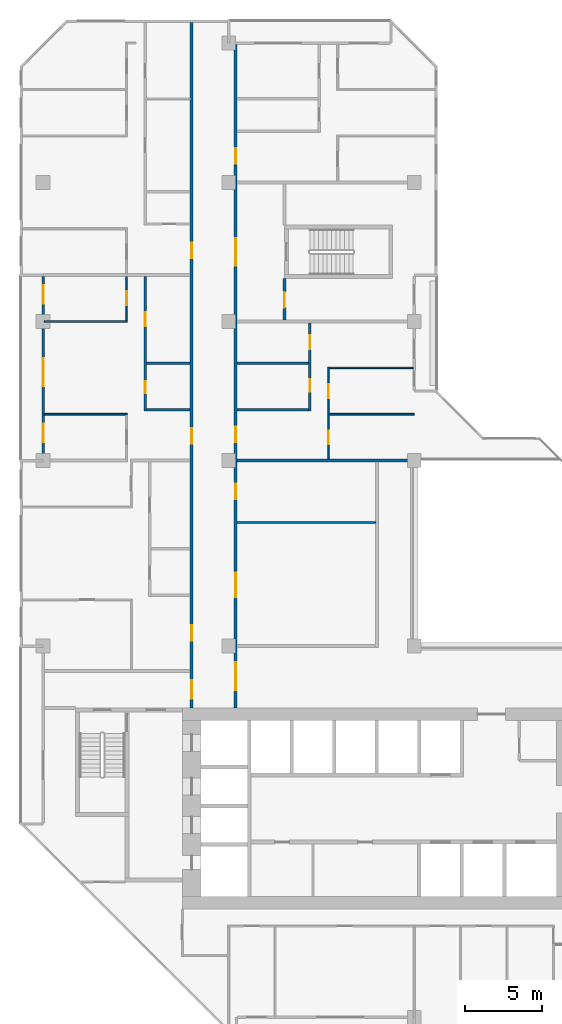
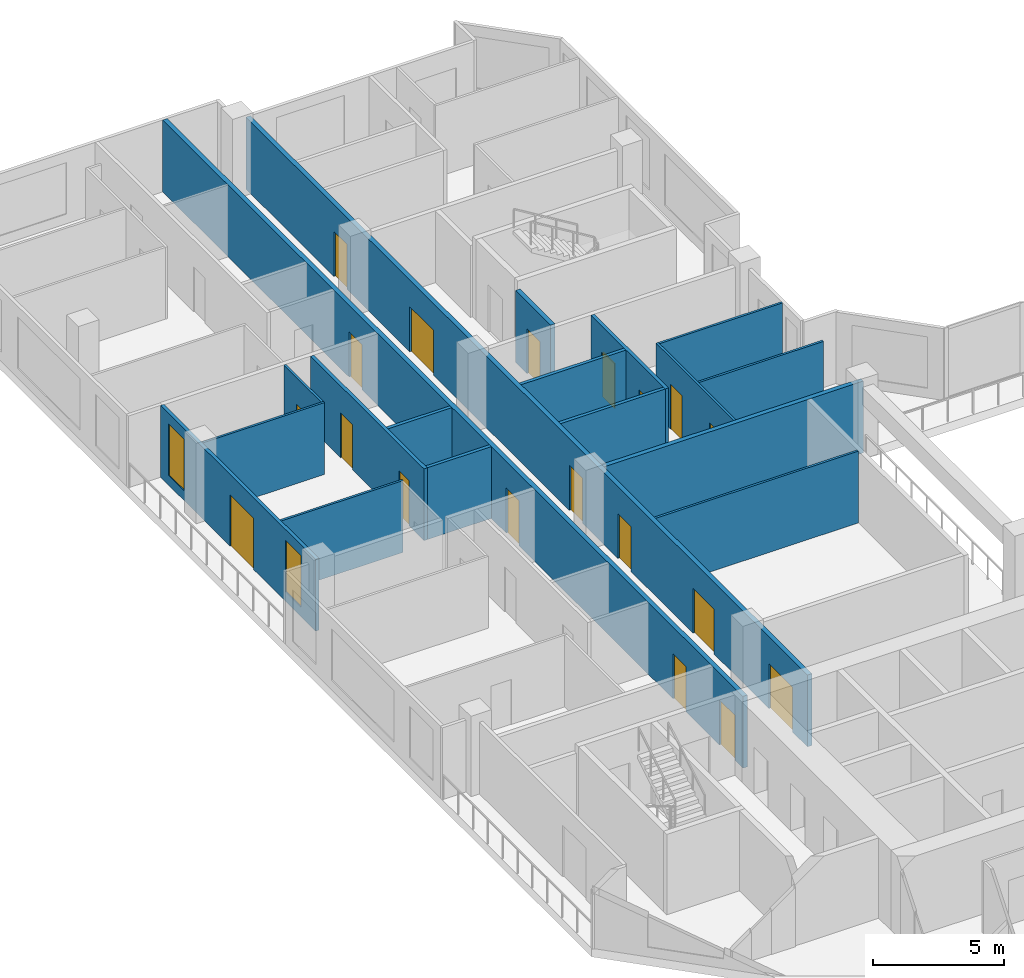
# One storey, part 9 of 15: 19 doors, 18 walls, 2 windows, 21 openings.
"""IFC4 building model written with IfcOpenShell, lengths in metres."""

import ifcopenshell
import ifcopenshell.guid

model = None  # the IFC model being written
_history = None  # IfcOwnerHistory: only IFC2X3 demands one
_inside = {}  # id of a spatial element -> (the spatial element, [elements in it])
_under = {}  # id of a project, library or spatial element -> (it, [spatial elements below it])
_declared = {}  # id of a project -> (the project, [libraries it declares])
_typed = {}  # id of a type object -> (the type object, [elements of that type])
_made_of = {}  # id of a material, layer set ... -> (it, [elements and type objects made of it])


def new_model(schema):
    """Start an empty IFC model of exactly this schema.

    Asked for "IFC4X3", IfcOpenShell would pick the latest addendum, in which some entities
    have other attributes; the version numbers below select the first issue.
    IFC2X3 requires an IfcOwnerHistory on every rooted entity: one is made here for all.
    """
    global model, _history
    if schema == "IFC4X3":
        model = ifcopenshell.file(schema_version=(4, 3, 0, 0))
    else:
        model = ifcopenshell.file(schema=schema)
    _inside.clear()
    _under.clear()
    _declared.clear()
    _typed.clear()
    _made_of.clear()
    _history = None
    if model.schema == "IFC2X3":
        org = make("IfcOrganization", Name="unknown")
        user = make(
            "IfcPersonAndOrganization",
            ThePerson=make("IfcPerson", FamilyName="unknown"),
            TheOrganization=org,
        )
        app = make(
            "IfcApplication",
            ApplicationDeveloper=org,
            Version="unknown",
            ApplicationFullName="unknown",
            ApplicationIdentifier="unknown",
        )
        _history = make(
            "IfcOwnerHistory",
            OwningUser=user,
            OwningApplication=app,
            ChangeAction="ADDED",
            CreationDate=0,
        )
    return model


def make(cls, **values):
    """One entity of the class cls with the attributes given. An attribute that is None is left unset."""
    return model.create_entity(
        cls, **{name: value for name, value in values.items() if value is not None}
    )


def rooted(cls, **values):
    """An entity with a GlobalId (a new one), such as an element, a storey or a relation."""
    return make(cls, GlobalId=ifcopenshell.guid.new(), OwnerHistory=_history, **values)


def si_unit(unit_type, name, prefix=None):
    """IfcSIUnit, for example si_unit("LENGTHUNIT", "METRE", prefix="MILLI")."""
    return make("IfcSIUnit", UnitType=unit_type, Prefix=prefix, Name=name)


def assignment(units):
    """IfcUnitAssignment: the units of a project."""
    return None if units is None else make("IfcUnitAssignment", Units=units)


def point(xyz):
    """IfcCartesianPoint."""
    return None if xyz is None else make("IfcCartesianPoint", Coordinates=xyz)


def direction(xyz):
    """IfcDirection."""
    return None if xyz is None else make("IfcDirection", DirectionRatios=xyz)


def frame(location, z_axis=None, x_axis=None):
    """IfcAxis2Placement3D, a coordinate frame: its origin and axes. An axis left out is left unset."""
    return make(
        "IfcAxis2Placement3D",
        Location=point(location),
        Axis=direction(z_axis),
        RefDirection=direction(x_axis),
    )


def frame_2d(location, x_axis=None):
    """IfcAxis2Placement2D, a coordinate frame in the plane: its origin and x axis."""
    return make(
        "IfcAxis2Placement2D", Location=point(location), RefDirection=direction(x_axis)
    )


def origin():
    """The frame at (0, 0, 0) with its axes left unset."""
    return frame((0.0, 0.0, 0.0))


def place(relative_to, where):
    """IfcLocalPlacement: puts the frame where relative to a parent placement (None: the world)."""
    return make(
        "IfcLocalPlacement", PlacementRelTo=relative_to, RelativePlacement=where
    )


def context(
    kind, dimensions, precision=None, world=None, true_north=None, identifier=None
):
    """IfcGeometricRepresentationContext, for example the 3D "Model" context."""
    return make(
        "IfcGeometricRepresentationContext",
        ContextIdentifier=identifier,
        ContextType=kind,
        CoordinateSpaceDimension=dimensions,
        Precision=precision,
        WorldCoordinateSystem=world,
        TrueNorth=true_north,
    )


def subcontext(parent, identifier, kind, view, scale=None):
    """IfcGeometricRepresentationSubContext, for example "Body" below "Model"."""
    return make(
        "IfcGeometricRepresentationSubContext",
        ContextIdentifier=identifier,
        ContextType=kind,
        ParentContext=parent,
        TargetScale=scale,
        TargetView=view,
    )


def project(units=None, contexts=None):
    """IfcProject with its units and contexts."""
    return rooted(
        "IfcProject",
        Name="project",
        RepresentationContexts=contexts,
        UnitsInContext=assignment(units),
    )


def spatial(cls, under=None, at=None, **own):
    """A site, building, storey or space (cls), placed at a placement, below another one or the project."""
    s = rooted(cls, ObjectPlacement=at, **own)
    if under is not None:
        _under.setdefault(under.id(), (under, []))[1].append(s)
    return s


def profile(cls, at=None, kind="AREA", **sizes):
    """A parametric profile (cls). Its sizes go by their IFC names, for example OverallWidth=200.0."""
    return make(cls, ProfileType=kind, Position=at, **sizes)


def rectangle(**sizes):
    """IfcRectangleProfileDef."""
    return profile("IfcRectangleProfileDef", **sizes)


def extrude(swept, where, along, depth):
    """IfcExtrudedAreaSolid: the profile swept, set in the frame where, extruded along a direction by depth."""
    return make(
        "IfcExtrudedAreaSolid",
        SweptArea=swept,
        Position=where,
        ExtrudedDirection=direction(along),
        Depth=depth,
    )


def shape(context_of_items, identifier, shape_type, items):
    """IfcShapeRepresentation: the items that make up one representation, for example the "Body"."""
    return make(
        "IfcShapeRepresentation",
        ContextOfItems=context_of_items,
        RepresentationIdentifier=identifier,
        RepresentationType=shape_type,
        Items=items,
    )


def material(Name=None, Category=None):
    """IfcMaterial."""
    return make("IfcMaterial", Name=Name, Category=Category)


def layer(
    of_material, thickness, ventilated=None, Name=None, Category=None, Priority=None
):
    """IfcMaterialLayer: one layer of a wall or slab, of a material (None: an air gap)."""
    return make(
        "IfcMaterialLayer",
        Material=of_material,
        LayerThickness=thickness,
        IsVentilated=ventilated,
        Name=Name,
        Category=Category,
        Priority=Priority,
    )


def layer_set(layers, Name=None):
    """IfcMaterialLayerSet."""
    return make("IfcMaterialLayerSet", MaterialLayers=layers, LayerSetName=Name)


def made_of(thing, what):
    """Note that an element or type object is made of a material, layer set ...; save() writes the relation."""
    if what is not None:
        _made_of.setdefault(what.id(), (what, []))[1].append(thing)
    return thing


def type_object(cls, material=None, **own):
    """A type object (cls), such as IfcWallType, which elements share."""
    return made_of(rooted(cls, **own), material)


def element(
    cls,
    number,
    at=None,
    inside=None,
    cuts=None,
    type_object=None,
    material=None,
    context=None,
    identifier="Body",
    shape_type=None,
    held_by="IfcProductDefinitionShape",
    body=None,
    shapes=None,
    **own,
):
    """One element of the class cls, such as IfcWall. Its Tag is "e" and its number.

    at: its placement. inside: the storey or other place that contains it. cuts: it is an
    opening in that element (IfcRelVoidsElement). A single representation is given by context,
    identifier, shape_type and body (its items); several are given by shapes. held_by: the class
    of the entity that holds the representations. save() writes the other relations.
    """
    e = rooted(cls, Tag="e%d" % number, ObjectPlacement=at, **own)
    if body is not None:
        shapes = [shape(context, identifier, shape_type, body)]
    if shapes is not None:
        e.Representation = make(held_by, Representations=shapes)
    if inside is not None:
        _inside.setdefault(inside.id(), (inside, []))[1].append(e)
    if cuts is not None:
        rooted(
            "IfcRelVoidsElement", RelatingBuildingElement=cuts, RelatedOpeningElement=e
        )
    if type_object is not None:
        _typed.setdefault(type_object.id(), (type_object, []))[1].append(e)
    return made_of(e, material)


def fill(opening, filler):
    """IfcRelFillsElement: the door or window that sits in an opening."""
    return rooted(
        "IfcRelFillsElement",
        RelatingOpeningElement=opening,
        RelatedBuildingElement=filler,
    )


def aggregate(whole, parts):
    """IfcRelAggregates: a whole, such as a stair, and the parts it consists of."""
    return rooted("IfcRelAggregates", RelatingObject=whole, RelatedObjects=parts)


def save(model, path):
    """Write the relations noted so far, then the file.

    IfcRelAggregates (storeys below a building ...), IfcRelContainedInSpatialStructure (elements
    in a storey), IfcRelDefinesByType, IfcRelAssociatesMaterial and IfcRelDeclares: one each for
    every whole, place, type object, material and project.
    """
    for whole, parts in _under.values():
        aggregate(whole, parts)
    for where, things in _inside.values():
        rooted(
            "IfcRelContainedInSpatialStructure",
            RelatedElements=things,
            RelatingStructure=where,
        )
    for kind, things in _typed.values():
        rooted("IfcRelDefinesByType", RelatedObjects=things, RelatingType=kind)
    for what, things in _made_of.values():
        rooted("IfcRelAssociatesMaterial", RelatedObjects=things, RelatingMaterial=what)
    for by, libraries in _declared.values():
        rooted("IfcRelDeclares", RelatingContext=by, RelatedDefinitions=libraries)
    model.write(path)


model = new_model("IFC4")

# Units and contexts
model_context = context("Model", 3, precision=1e-05, world=origin(), true_north=direction((0.0, 1.0)))
body_context = subcontext(model_context, "Body", "Model", "MODEL_VIEW")
ifc_project = project(units=[si_unit("LENGTHUNIT", "METRE"), si_unit("AREAUNIT", "SQUARE_METRE"), si_unit("VOLUMEUNIT", "CUBIC_METRE"), si_unit("PLANEANGLEUNIT", "RADIAN"), si_unit("MASSUNIT", "GRAM", prefix="KILO")], contexts=[model_context])

# Site, building, storey
site_placement = place(None, origin())
site = spatial("IfcSite", under=ifc_project, at=site_placement, CompositionType="ELEMENT")
building_placement = place(site_placement, origin())
building = spatial("IfcBuilding", under=site, at=building_placement, Name="Chenar Terraces", CompositionType="ELEMENT")
storey_placement = place(building_placement, frame((0.0, 0.0, 198.64990234375)))
storey = spatial("IfcBuildingStorey", under=building, at=storey_placement, Name="L46", CompositionType="ELEMENT", Elevation=198.64990234375)

# Wall, openings, doors
ifc_material_1 = material(Name="Gypsum board on steel studs with fire boards", Category="steel")
ifc_layer_1 = layer(ifc_material_1, 0.199951171875)
ifc_layer_set_1 = layer_set([ifc_layer_1], Name="Gypsum board on steel studs with fire boards")
wall_type_1 = type_object("IfcWallType", Name="Corridor wall 200", PredefinedType="PARTITIONING", material=ifc_layer_set_1)
wall_1_placement = place(storey_placement, frame((9.60009765625, 20.0, 0.0), z_axis=(0.0, 0.0, 1.0), x_axis=(0.0, 1.0, 0.0)))
wall_1 = element("IfcWall", 1, at=wall_1_placement, inside=storey, type_object=wall_type_1, Name="Partition L46-033", PredefinedType="PARTITIONING", context=body_context, shape_type="SweptSolid", body=[
    extrude(rectangle(XDim=44.35009765625, YDim=0.199951171875, at=frame_2d((22.175048828125, 0.0))), origin(), (0.0, 0.0, 1.0), 3.35009765625),
])
opening_1_placement = place(wall_1_placement, frame((17.10009765625, 0.0, 0.0)))
opening_1 = element("IfcOpeningElement", 2, at=opening_1_placement, cuts=wall_1, Name="Opening DL46-29", PredefinedType="OPENING", context=body_context, shape_type="SweptSolid", body=[
    extrude(rectangle(XDim=1.0, YDim=2.10009765625, at=frame_2d((0.5, 1.050048828125))), frame((0.0, 0.10986328125, 0.0), z_axis=(0.0, -1.0, 0.0), x_axis=(1.0, 0.0, 0.0)), (0.0, 0.0, 1.0), 0.219970703125),
])
opening_2_placement = place(wall_1_placement, frame((29.10009765625, 0.0, 0.0)))
opening_2 = element("IfcOpeningElement", 3, at=opening_2_placement, cuts=wall_1, Name="Opening DL46-35", PredefinedType="OPENING", context=body_context, shape_type="SweptSolid", body=[
    extrude(rectangle(XDim=1.0, YDim=2.10009765625, at=frame_2d((0.5, 1.050048828125))), frame((0.0, 0.10986328125, 0.0), z_axis=(0.0, -1.0, 0.0), x_axis=(1.0, 0.0, 0.0)), (0.0, 0.0, 1.0), 0.219970703125),
])
opening_3_placement = place(wall_1_placement, frame((0.60009765625, 0.0, 0.0)))
opening_3 = element("IfcOpeningElement", 4, at=opening_3_placement, cuts=wall_1, Name="Opening DL46-39", PredefinedType="OPENING", context=body_context, shape_type="SweptSolid", body=[
    extrude(rectangle(XDim=1.199951171875, YDim=2.10009765625, at=frame_2d((0.60009765625, 1.050048828125))), frame((0.0, 0.10986328125, 0.0), z_axis=(0.0, -1.0, 0.0), x_axis=(1.0, 0.0, 0.0)), (0.0, 0.0, 1.0), 0.219970703125),
])
opening_4_placement = place(wall_1_placement, frame((4.35009765625, 0.0, 0.0)))
opening_4 = element("IfcOpeningElement", 5, at=opening_4_placement, cuts=wall_1, Name="Opening DL46-60", PredefinedType="OPENING", context=body_context, shape_type="SweptSolid", body=[
    extrude(rectangle(XDim=1.0, YDim=2.10009765625, at=frame_2d((0.5, 1.050048828125))), frame((0.0, 0.10986328125, 0.0), z_axis=(0.0, -1.0, 0.0), x_axis=(1.0, 0.0, 0.0)), (0.0, 0.0, 1.0), 0.219970703125),
])
ifc_material_2 = material(Name="Steel-framed fire-resisting door leaf", Category="steel")
door_type_1 = type_object("IfcDoorType", Name="Fire door FD30S 1000 x 2100", OperationType="SINGLE_SWING_LEFT", PredefinedType="DOOR", material=ifc_material_2)
door_1_placement = place(opening_1_placement, origin())
door_1 = element("IfcDoor", 6, at=door_1_placement, inside=storey, type_object=door_type_1, Name="Door DL46-29", OperationType="SINGLE_SWING_LEFT", OverallHeight=2.10009765625, OverallWidth=1.0, PredefinedType="DOOR", context=body_context, shape_type="SweptSolid", body=[
    extrude(rectangle(XDim=1.0, YDim=2.10009765625, at=frame_2d((0.5, 1.050048828125))), frame((0.0, 0.02490234375, 0.0), z_axis=(0.0, -1.0, 0.0), x_axis=(1.0, 0.0, 0.0)), (0.0, 0.0, 1.0), 0.050048828125),
])
fill(opening_1, door_1)
door_2_placement = place(opening_2_placement, origin())
door_2 = element("IfcDoor", 7, at=door_2_placement, inside=storey, type_object=door_type_1, Name="Door DL46-35", OperationType="SINGLE_SWING_LEFT", OverallHeight=2.10009765625, OverallWidth=1.0, PredefinedType="DOOR", context=body_context, shape_type="SweptSolid", body=[
    extrude(rectangle(XDim=1.0, YDim=2.10009765625, at=frame_2d((0.5, 1.050048828125))), frame((0.0, 0.02490234375, 0.0), z_axis=(0.0, -1.0, 0.0), x_axis=(1.0, 0.0, 0.0)), (0.0, 0.0, 1.0), 0.050048828125),
])
fill(opening_2, door_2)
door_3_placement = place(opening_4_placement, origin())
door_3 = element("IfcDoor", 8, at=door_3_placement, inside=storey, type_object=door_type_1, Name="Door DL46-60", OperationType="SINGLE_SWING_RIGHT", OverallHeight=2.10009765625, OverallWidth=1.0, PredefinedType="DOOR", context=body_context, shape_type="SweptSolid", body=[
    extrude(rectangle(XDim=1.0, YDim=2.10009765625, at=frame_2d((0.5, 1.050048828125))), frame((0.0, 0.02490234375, 0.0), z_axis=(0.0, -1.0, 0.0), x_axis=(1.0, 0.0, 0.0)), (0.0, 0.0, 1.0), 0.050048828125),
])
fill(opening_4, door_3)
ifc_material_3 = material(Name="Steel-framed fire-resisting door leaf", Category="steel")
door_type_2 = type_object("IfcDoorType", Name="Fire door FD30S 1200 x 2100", OperationType="SINGLE_SWING_LEFT", PredefinedType="DOOR", material=ifc_material_3)
door_4_placement = place(opening_3_placement, origin())
door_4 = element("IfcDoor", 9, at=door_4_placement, inside=storey, type_object=door_type_2, Name="Door DL46-39", OperationType="SINGLE_SWING_RIGHT", OverallHeight=2.10009765625, OverallWidth=1.199951171875, PredefinedType="DOOR", context=body_context, shape_type="SweptSolid", body=[
    extrude(rectangle(XDim=1.199951171875, YDim=2.10009765625, at=frame_2d((0.60009765625, 1.050048828125))), frame((0.0, 0.02490234375, 0.0), z_axis=(0.0, -1.0, 0.0), x_axis=(1.0, 0.0, 0.0)), (0.0, 0.0, 1.0), 0.050048828125),
])
fill(opening_3, door_4)

wall_2_placement = place(storey_placement, frame((12.449951171875, 20.0, 0.0), z_axis=(0.0, 0.0, 1.0), x_axis=(0.0, 1.0, 0.0)))
wall_2 = element("IfcWall", 10, at=wall_2_placement, inside=storey, type_object=wall_type_1, Name="Partition L46-036", PredefinedType="PARTITIONING", context=body_context, shape_type="SweptSolid", body=[
    extrude(rectangle(XDim=42.926025390625, YDim=0.199951171875, at=frame_2d((21.462890625, 0.0))), origin(), (0.0, 0.0, 1.0), 3.35009765625),
])
opening_5_placement = place(wall_2_placement, frame((7.14990234375, 0.0, 0.0)))
opening_5 = element("IfcOpeningElement", 11, at=opening_5_placement, cuts=wall_2, Name="Opening DL46-1", PredefinedType="OPENING", context=body_context, shape_type="SweptSolid", body=[
    extrude(rectangle(XDim=1.60009765625, YDim=2.10009765625, at=frame_2d((0.800048828125, 1.050048828125))), frame((0.0, 0.10986328125, 0.0), z_axis=(0.0, -1.0, 0.0), x_axis=(1.0, 0.0, 0.0)), (0.0, 0.0, 1.0), 0.219970703125),
])
opening_6_placement = place(wall_2_placement, frame((13.5, 0.0, 0.0)))
opening_6 = element("IfcOpeningElement", 12, at=opening_6_placement, cuts=wall_2, Name="Opening DL46-2", PredefinedType="OPENING", context=body_context, shape_type="SweptSolid", body=[
    extrude(rectangle(XDim=1.0, YDim=2.10009765625, at=frame_2d((0.5, 1.050048828125))), frame((0.0, 0.10986328125, 0.0), z_axis=(0.0, -1.0, 0.0), x_axis=(1.0, 0.0, 0.0)), (0.0, 0.0, 1.0), 0.219970703125),
])
opening_7_placement = place(wall_2_placement, frame((17.199951171875, 0.0, 0.0)))
opening_7 = element("IfcOpeningElement", 13, at=opening_7_placement, cuts=wall_2, Name="Opening DL46-19", PredefinedType="OPENING", context=body_context, shape_type="SweptSolid", body=[
    extrude(rectangle(XDim=1.0, YDim=2.10009765625, at=frame_2d((0.5, 1.050048828125))), frame((0.0, 0.10986328125, 0.0), z_axis=(0.0, -1.0, 0.0), x_axis=(1.0, 0.0, 0.0)), (0.0, 0.0, 1.0), 0.219970703125),
])
opening_8_placement = place(wall_2_placement, frame((35.199951171875, 0.0, 0.0)))
opening_8 = element("IfcOpeningElement", 14, at=opening_8_placement, cuts=wall_2, Name="Opening DL46-24", PredefinedType="OPENING", context=body_context, shape_type="SweptSolid", body=[
    extrude(rectangle(XDim=1.0, YDim=2.10009765625, at=frame_2d((0.5, 1.050048828125))), frame((0.0, 0.10986328125, 0.0), z_axis=(0.0, -1.0, 0.0), x_axis=(1.0, 0.0, 0.0)), (0.0, 0.0, 1.0), 0.219970703125),
])
opening_9_placement = place(wall_2_placement, frame((1.14990234375, 0.0, 0.0)))
opening_9 = element("IfcOpeningElement", 15, at=opening_9_placement, cuts=wall_2, Name="Opening DL46-38", PredefinedType="OPENING", context=body_context, shape_type="SweptSolid", body=[
    extrude(rectangle(XDim=1.800048828125, YDim=2.10009765625, at=frame_2d((0.89990234375, 1.050048828125))), frame((0.0, 0.10986328125, 0.0), z_axis=(0.0, -1.0, 0.0), x_axis=(1.0, 0.0, 0.0)), (0.0, 0.0, 1.0), 0.219970703125),
])
opening_10_placement = place(wall_2_placement, frame((28.60009765625, 0.0, 0.0)))
opening_10 = element("IfcOpeningElement", 16, at=opening_10_placement, cuts=wall_2, Name="Opening DL46-40", PredefinedType="OPENING", context=body_context, shape_type="SweptSolid", body=[
    extrude(rectangle(XDim=1.800048828125, YDim=2.10009765625, at=frame_2d((0.89990234375, 1.050048828125))), frame((0.0, 0.10986328125, 0.0), z_axis=(0.0, -1.0, 0.0), x_axis=(1.0, 0.0, 0.0)), (0.0, 0.0, 1.0), 0.219970703125),
])
ifc_material_4 = material(Name="Steel-framed fire-resisting door leaf", Category="steel")
door_type_3 = type_object("IfcDoorType", Name="Fire door FD60 1000 x 2100", OperationType="SINGLE_SWING_LEFT", PredefinedType="DOOR", material=ifc_material_4)
door_5_placement = place(opening_6_placement, frame((1.0, 0.0, 0.0), z_axis=(0.0, 0.0, 1.0), x_axis=(-1.0, 0.0, 0.0)))
door_5 = element("IfcDoor", 17, at=door_5_placement, inside=storey, type_object=door_type_3, Name="Door DL46-2", OperationType="SINGLE_SWING_LEFT", OverallHeight=2.10009765625, OverallWidth=1.0, PredefinedType="DOOR", context=body_context, shape_type="SweptSolid", body=[
    extrude(rectangle(XDim=1.0, YDim=2.10009765625, at=frame_2d((0.5, 1.050048828125))), frame((0.0, 0.02490234375, 0.0), z_axis=(0.0, -1.0, 0.0), x_axis=(1.0, 0.0, 0.0)), (0.0, 0.0, 1.0), 0.050048828125),
])
fill(opening_6, door_5)
door_6_placement = place(opening_7_placement, frame((1.0, 0.0, 0.0), z_axis=(0.0, 0.0, 1.0), x_axis=(-1.0, 0.0, 0.0)))
door_6 = element("IfcDoor", 18, at=door_6_placement, inside=storey, type_object=door_type_3, Name="Door DL46-19", OperationType="SINGLE_SWING_LEFT", OverallHeight=2.10009765625, OverallWidth=1.0, PredefinedType="DOOR", context=body_context, shape_type="SweptSolid", body=[
    extrude(rectangle(XDim=1.0, YDim=2.10009765625, at=frame_2d((0.5, 1.050048828125))), frame((0.0, 0.02490234375, 0.0), z_axis=(0.0, -1.0, 0.0), x_axis=(1.0, 0.0, 0.0)), (0.0, 0.0, 1.0), 0.050048828125),
])
fill(opening_7, door_6)
door_7_placement = place(opening_8_placement, frame((1.0, 0.0, 0.0), z_axis=(0.0, 0.0, 1.0), x_axis=(-1.0, 0.0, 0.0)))
door_7 = element("IfcDoor", 19, at=door_7_placement, inside=storey, type_object=door_type_3, Name="Door DL46-24", OperationType="SINGLE_SWING_LEFT", OverallHeight=2.10009765625, OverallWidth=1.0, PredefinedType="DOOR", context=body_context, shape_type="SweptSolid", body=[
    extrude(rectangle(XDim=1.0, YDim=2.10009765625, at=frame_2d((0.5, 1.050048828125))), frame((0.0, 0.02490234375, 0.0), z_axis=(0.0, -1.0, 0.0), x_axis=(1.0, 0.0, 0.0)), (0.0, 0.0, 1.0), 0.050048828125),
])
fill(opening_8, door_7)
ifc_material_5 = material(Name="Steel-framed fire-resisting door leaf", Category="steel")
door_type_4 = type_object("IfcDoorType", Name="Fire double door FD60 1600 x 2100", OperationType="DOUBLE_DOOR_SINGLE_SWING", PredefinedType="DOOR", material=ifc_material_5)
door_8_placement = place(opening_5_placement, frame((1.60009765625, 0.0, 0.0), z_axis=(0.0, 0.0, 1.0), x_axis=(-1.0, 0.0, 0.0)))
door_8 = element("IfcDoor", 20, at=door_8_placement, inside=storey, type_object=door_type_4, Name="Door DL46-1", OperationType="DOUBLE_DOOR_SINGLE_SWING", OverallHeight=2.10009765625, OverallWidth=1.60009765625, PredefinedType="DOOR", context=body_context, shape_type="SweptSolid", body=[
    extrude(rectangle(XDim=1.60009765625, YDim=2.10009765625, at=frame_2d((0.800048828125, 1.050048828125))), frame((0.0, 0.02490234375, 0.0), z_axis=(0.0, -1.0, 0.0), x_axis=(1.0, 0.0, 0.0)), (0.0, 0.0, 1.0), 0.050048828125),
])
fill(opening_5, door_8)
ifc_material_6 = material(Name="Steel-framed fire-resisting door leaf", Category="steel")
door_type_5 = type_object("IfcDoorType", Name="Fire double door FD60 1800 x 2100", OperationType="DOUBLE_DOOR_SINGLE_SWING", PredefinedType="DOOR", material=ifc_material_6)
door_9_placement = place(opening_9_placement, frame((1.800048828125, 0.0, 0.0), z_axis=(0.0, 0.0, 1.0), x_axis=(-1.0, 0.0, 0.0)))
door_9 = element("IfcDoor", 21, at=door_9_placement, inside=storey, type_object=door_type_5, Name="Door DL46-38", OperationType="DOUBLE_DOOR_SINGLE_SWING", OverallHeight=2.10009765625, OverallWidth=1.800048828125, PredefinedType="DOOR", context=body_context, shape_type="SweptSolid", body=[
    extrude(rectangle(XDim=1.800048828125, YDim=2.10009765625, at=frame_2d((0.89990234375, 1.050048828125))), frame((0.0, 0.02490234375, 0.0), z_axis=(0.0, -1.0, 0.0), x_axis=(1.0, 0.0, 0.0)), (0.0, 0.0, 1.0), 0.050048828125),
])
fill(opening_9, door_9)
door_10_placement = place(opening_10_placement, frame((1.800048828125, 0.0, 0.0), z_axis=(0.0, 0.0, 1.0), x_axis=(-1.0, 0.0, 0.0)))
door_10 = element("IfcDoor", 22, at=door_10_placement, inside=storey, type_object=door_type_5, Name="Door DL46-40", OperationType="DOUBLE_DOOR_SINGLE_SWING", OverallHeight=2.10009765625, OverallWidth=1.800048828125, PredefinedType="DOOR", context=body_context, shape_type="SweptSolid", body=[
    extrude(rectangle(XDim=1.800048828125, YDim=2.10009765625, at=frame_2d((0.89990234375, 1.050048828125))), frame((0.0, 0.02490234375, 0.0), z_axis=(0.0, -1.0, 0.0), x_axis=(1.0, 0.0, 0.0)), (0.0, 0.0, 1.0), 0.050048828125),
])
fill(opening_10, door_10)

# Wall, opening, door
wall_3_placement = place(storey_placement, frame((15.60009765625, 45.10009765625, 0.0), z_axis=(0.0, 0.0, 1.0), x_axis=(0.0, 1.0, 0.0)))
wall_3 = element("IfcWall", 23, at=wall_3_placement, inside=storey, type_object=wall_type_1, Name="Partition L46-047", PredefinedType="PARTITIONING", context=body_context, shape_type="SweptSolid", body=[
    extrude(rectangle(XDim=2.6748046875, YDim=0.199951171875, at=frame_2d((1.33740234375, 0.0))), origin(), (0.0, 0.0, 1.0), 3.35009765625),
])
opening_11_placement = place(wall_3_placement, frame((0.800048828125, 0.0, 0.0)))
opening_11 = element("IfcOpeningElement", 24, at=opening_11_placement, cuts=wall_3, Name="Opening DL46-42", PredefinedType="OPENING", context=body_context, shape_type="SweptSolid", body=[
    extrude(rectangle(XDim=1.0, YDim=2.10009765625, at=frame_2d((0.5, 1.050048828125))), frame((0.0, 0.10986328125, 0.0), z_axis=(0.0, -1.0, 0.0), x_axis=(1.0, 0.0, 0.0)), (0.0, 0.0, 1.0), 0.219970703125),
])
door_11_placement = place(opening_11_placement, frame((1.0, 0.0, 0.0), z_axis=(0.0, 0.0, 1.0), x_axis=(-1.0, 0.0, 0.0)))
door_11 = element("IfcDoor", 25, at=door_11_placement, inside=storey, type_object=door_type_3, Name="Door DL46-42", OperationType="SINGLE_SWING_RIGHT", OverallHeight=2.10009765625, OverallWidth=1.0, PredefinedType="DOOR", context=body_context, shape_type="SweptSolid", body=[
    extrude(rectangle(XDim=1.0, YDim=2.10009765625, at=frame_2d((0.5, 1.050048828125))), frame((0.0, 0.02490234375, 0.0), z_axis=(0.0, -1.0, 0.0), x_axis=(1.0, 0.0, 0.0)), (0.0, 0.0, 1.0), 0.050048828125),
])
fill(opening_11, door_11)

# Wall, openings, windows, door
ifc_material_7 = material(Name="Aluminium framed glazing", Category="aluminium")
ifc_layer_2 = layer(ifc_material_7, 0.14990234375)
ifc_layer_set_2 = layer_set([ifc_layer_2], Name="Aluminium framed glazing")
wall_type_2 = type_object("IfcWallType", Name="Glazed loggia back wall 150", PredefinedType="SOLIDWALL", material=ifc_layer_set_2)
wall_4_placement = place(storey_placement, frame((0.0, 47.925048828125, 0.0), z_axis=(0.0, 0.0, 1.0), x_axis=(0.0, -1.0, 0.0)))
wall_4 = element("IfcWall", 26, at=wall_4_placement, inside=storey, type_object=wall_type_2, Name="Glazed loggia back wall", PredefinedType="SOLIDWALL", context=body_context, shape_type="SweptSolid", body=[
    extrude(rectangle(XDim=11.85009765625, YDim=0.14990234375, at=frame_2d((5.925048828125, 0.0))), origin(), (0.0, 0.0, 1.0), 3.35009765625),
])
opening_12_placement = place(wall_4_placement, frame((0.58740234375, 0.0, 0.449951171875)))
opening_12 = element("IfcOpeningElement", 27, at=opening_12_placement, cuts=wall_4, Name="Opening W120x240", PredefinedType="OPENING", context=body_context, shape_type="SweptSolid", body=[
    extrude(rectangle(XDim=1.199951171875, YDim=2.39990234375, at=frame_2d((0.60009765625, 1.199951171875))), frame((0.0, 0.0849609375, 0.0), z_axis=(0.0, -1.0, 0.0), x_axis=(1.0, 0.0, 0.0)), (0.0, 0.0, 1.0), 0.169921875),
])
opening_13_placement = place(wall_4_placement, frame((5.300048828125, 0.0, 0.0)))
opening_13 = element("IfcOpeningElement", 28, at=opening_13_placement, cuts=wall_4, Name="Opening DL46-G3", PredefinedType="OPENING", context=body_context, shape_type="SweptSolid", body=[
    extrude(rectangle(XDim=1.800048828125, YDim=2.39990234375, at=frame_2d((0.89990234375, 1.199951171875))), frame((0.0, 0.0849609375, 0.0), z_axis=(0.0, -1.0, 0.0), x_axis=(1.0, 0.0, 0.0)), (0.0, 0.0, 1.0), 0.169921875),
])
opening_14_placement = place(wall_4_placement, frame((9.550048828125, 0.0, 0.449951171875)))
opening_14 = element("IfcOpeningElement", 29, at=opening_14_placement, cuts=wall_4, Name="Opening W120x240", PredefinedType="OPENING", context=body_context, shape_type="SweptSolid", body=[
    extrude(rectangle(XDim=1.199951171875, YDim=2.39990234375, at=frame_2d((0.60009765625, 1.199951171875))), frame((0.0, 0.0849609375, 0.0), z_axis=(0.0, -1.0, 0.0), x_axis=(1.0, 0.0, 0.0)), (0.0, 0.0, 1.0), 0.169921875),
])
ifc_material_8 = material(Name="Low emissivity double glazing, aluminium frame", Category="aluminium")
window_type = type_object("IfcWindowType", Name="Fixed light 1200 x 2400", PartitioningType="SINGLE_PANEL", PredefinedType="WINDOW", material=ifc_material_8)
window_1_placement = place(opening_12_placement, origin())
window_1 = element("IfcWindow", 30, at=window_1_placement, inside=storey, type_object=window_type, Name="Window", OverallHeight=2.39990234375, OverallWidth=1.199951171875, PartitioningType="SINGLE_PANEL", PredefinedType="WINDOW", context=body_context, shape_type="SweptSolid", body=[
    extrude(rectangle(XDim=1.199951171875, YDim=2.39990234375, at=frame_2d((0.60009765625, 1.199951171875))), frame((0.0, 0.030029296875, 0.0), z_axis=(0.0, -1.0, 0.0), x_axis=(1.0, 0.0, 0.0)), (0.0, 0.0, 1.0), 0.06005859375),
])
fill(opening_12, window_1)
window_2_placement = place(opening_14_placement, origin())
window_2 = element("IfcWindow", 31, at=window_2_placement, inside=storey, type_object=window_type, Name="Window", OverallHeight=2.39990234375, OverallWidth=1.199951171875, PartitioningType="SINGLE_PANEL", PredefinedType="WINDOW", context=body_context, shape_type="SweptSolid", body=[
    extrude(rectangle(XDim=1.199951171875, YDim=2.39990234375, at=frame_2d((0.60009765625, 1.199951171875))), frame((0.0, 0.030029296875, 0.0), z_axis=(0.0, -1.0, 0.0), x_axis=(1.0, 0.0, 0.0)), (0.0, 0.0, 1.0), 0.06005859375),
])
fill(opening_14, window_2)
ifc_material_9 = material(Name="Low emissivity double glazing, aluminium frame", Category="aluminium")
door_type_6 = type_object("IfcDoorType", Name="Loggia glazed double door 1800 x 2400", OperationType="DOUBLE_DOOR_SINGLE_SWING", PredefinedType="DOOR", material=ifc_material_9)
door_12_placement = place(opening_13_placement, frame((1.800048828125, 0.0, 0.0), z_axis=(0.0, 0.0, 1.0), x_axis=(-1.0, 0.0, 0.0)))
door_12 = element("IfcDoor", 32, at=door_12_placement, inside=storey, type_object=door_type_6, Name="Loggia glazed door", OperationType="DOUBLE_DOOR_SINGLE_SWING", OverallHeight=2.39990234375, OverallWidth=1.800048828125, PredefinedType="DOOR", context=body_context, shape_type="SweptSolid", body=[
    extrude(rectangle(XDim=1.800048828125, YDim=2.39990234375, at=frame_2d((0.89990234375, 1.199951171875))), frame((0.0, 0.02490234375, 0.0), z_axis=(0.0, -1.0, 0.0), x_axis=(1.0, 0.0, 0.0)), (0.0, 0.0, 1.0), 0.050048828125),
])
fill(opening_13, door_12)

# Walls
ifc_material_10 = material(Name="Gypsum board on steel studs", Category="steel")
ifc_layer_3 = layer(ifc_material_10, 0.10009765625)
ifc_layer_set_3 = layer_set([ifc_layer_3], Name="Gypsum board on steel studs")
wall_type_3 = type_object("IfcWallType", Name="Gypsum partition 100", PredefinedType="PARTITIONING", material=ifc_layer_set_3)
for number, where, z_axis, x_axis, name in (
    (33, (0.073974609375, 39.0, 0.0), (0.0, 0.0, 1.0), (1.0, 0.0, 0.0), "Partition L46-010"),
    (34, (0.073974609375, 45.0, 0.0), (0.0, 0.0, 1.0), (1.0, 0.0, 0.0), "Partition L46-011"),
):
    element("IfcWall", number, at=place(storey_placement, frame(where, z_axis=z_axis, x_axis=x_axis)), inside=storey, type_object=wall_type_3, Name=name, PredefinedType="PARTITIONING", context=body_context, shape_type="SweptSolid", body=[
        extrude(rectangle(XDim=5.3759765625, YDim=0.10009765625, at=frame_2d((2.68798828125, 0.0))), origin(), (0.0, 0.0, 1.0), 3.35009765625),
    ])

# Wall, opening, door
wall_5_placement = place(storey_placement, frame((5.39990234375, 45.050048828125, 0.0), z_axis=(0.0, 0.0, 1.0), x_axis=(0.0, 1.0, 0.0)))
wall_5 = element("IfcWall", 35, at=wall_5_placement, inside=storey, type_object=wall_type_3, Name="Partition L46-014", PredefinedType="PARTITIONING", context=body_context, shape_type="SweptSolid", body=[
    extrude(rectangle(XDim=2.849853515625, YDim=0.10009765625, at=frame_2d((1.4248046875, 0.0))), origin(), (0.0, 0.0, 1.0), 3.35009765625),
])
opening_15_placement = place(wall_5_placement, frame((1.0, 0.0, 0.0)))
opening_15 = element("IfcOpeningElement", 36, at=opening_15_placement, cuts=wall_5, Name="Opening DL46-27", PredefinedType="OPENING", context=body_context, shape_type="SweptSolid", body=[
    extrude(rectangle(XDim=0.89990234375, YDim=2.10009765625, at=frame_2d((0.449951171875, 1.050048828125))), frame((0.0, 0.06005859375, 0.0), z_axis=(0.0, -1.0, 0.0), x_axis=(1.0, 0.0, 0.0)), (0.0, 0.0, 1.0), 0.1201171875),
])
ifc_material_11 = material(Name="Veneered timber door leaf", Category="wood")
door_type_7 = type_object("IfcDoorType", Name="Door 900 x 2100", OperationType="SINGLE_SWING_LEFT", PredefinedType="DOOR", material=ifc_material_11)
door_13_placement = place(opening_15_placement, origin())
door_13 = element("IfcDoor", 37, at=door_13_placement, inside=storey, type_object=door_type_7, Name="Door DL46-27", OperationType="SINGLE_SWING_RIGHT", OverallHeight=2.10009765625, OverallWidth=0.89990234375, PredefinedType="DOOR", context=body_context, shape_type="SweptSolid", body=[
    extrude(rectangle(XDim=0.89990234375, YDim=2.10009765625, at=frame_2d((0.449951171875, 1.050048828125))), frame((0.0, 0.02490234375, 0.0), z_axis=(0.0, -1.0, 0.0), x_axis=(1.0, 0.0, 0.0)), (0.0, 0.0, 1.0), 0.050048828125),
])
fill(opening_15, door_13)

# Wall
wall_6_placement = place(storey_placement, frame((12.550048828125, 32.0, 0.0), z_axis=(0.0, 0.0, 1.0), x_axis=(1.0, 0.0, 0.0)))
element("IfcWall", 38, at=wall_6_placement, inside=storey, type_object=wall_type_3, Name="Partition L46-038", PredefinedType="PARTITIONING", context=body_context, shape_type="SweptSolid", body=[
    extrude(rectangle(XDim=8.949951171875, YDim=0.10009765625, at=frame_2d((4.47509765625, 0.0))), origin(), (0.0, 0.0, 1.0), 3.35009765625),
])

# Wall, openings, doors
wall_7_placement = place(storey_placement, frame((18.449951171875, 36.10009765625, 0.0), z_axis=(0.0, 0.0, 1.0), x_axis=(0.0, 1.0, 0.0)))
wall_7 = element("IfcWall", 39, at=wall_7_placement, inside=storey, type_object=wall_type_3, Name="Partition L46-051", PredefinedType="PARTITIONING", context=body_context, shape_type="SweptSolid", body=[
    extrude(rectangle(XDim=5.949951171875, YDim=0.10009765625, at=frame_2d((2.97509765625, 0.0))), origin(), (0.0, 0.0, 1.0), 3.35009765625),
])
opening_16_placement = place(wall_7_placement, frame((0.949951171875, 0.0, 0.0)))
opening_16 = element("IfcOpeningElement", 40, at=opening_16_placement, cuts=wall_7, Name="Opening DL46-16", PredefinedType="OPENING", context=body_context, shape_type="SweptSolid", body=[
    extrude(rectangle(XDim=0.89990234375, YDim=2.10009765625, at=frame_2d((0.449951171875, 1.050048828125))), frame((0.0, 0.06005859375, 0.0), z_axis=(0.0, -1.0, 0.0), x_axis=(1.0, 0.0, 0.0)), (0.0, 0.0, 1.0), 0.1201171875),
])
opening_17_placement = place(wall_7_placement, frame((3.949951171875, 0.0, 0.0)))
opening_17 = element("IfcOpeningElement", 41, at=opening_17_placement, cuts=wall_7, Name="Opening DL46-17", PredefinedType="OPENING", context=body_context, shape_type="SweptSolid", body=[
    extrude(rectangle(XDim=0.89990234375, YDim=2.10009765625, at=frame_2d((0.449951171875, 1.050048828125))), frame((0.0, 0.06005859375, 0.0), z_axis=(0.0, -1.0, 0.0), x_axis=(1.0, 0.0, 0.0)), (0.0, 0.0, 1.0), 0.1201171875),
])
door_14_placement = place(opening_16_placement, frame((0.89990234375, 0.0, 0.0), z_axis=(0.0, 0.0, 1.0), x_axis=(-1.0, 0.0, 0.0)))
door_14 = element("IfcDoor", 42, at=door_14_placement, inside=storey, type_object=door_type_7, Name="Door DL46-16", OperationType="SINGLE_SWING_LEFT", OverallHeight=2.10009765625, OverallWidth=0.89990234375, PredefinedType="DOOR", context=body_context, shape_type="SweptSolid", body=[
    extrude(rectangle(XDim=0.89990234375, YDim=2.10009765625, at=frame_2d((0.449951171875, 1.050048828125))), frame((0.0, 0.02490234375, 0.0), z_axis=(0.0, -1.0, 0.0), x_axis=(1.0, 0.0, 0.0)), (0.0, 0.0, 1.0), 0.050048828125),
])
fill(opening_16, door_14)
door_15_placement = place(opening_17_placement, frame((0.89990234375, 0.0, 0.0), z_axis=(0.0, 0.0, 1.0), x_axis=(-1.0, 0.0, 0.0)))
door_15 = element("IfcDoor", 43, at=door_15_placement, inside=storey, type_object=door_type_7, Name="Door DL46-17", OperationType="SINGLE_SWING_LEFT", OverallHeight=2.10009765625, OverallWidth=0.89990234375, PredefinedType="DOOR", context=body_context, shape_type="SweptSolid", body=[
    extrude(rectangle(XDim=0.89990234375, YDim=2.10009765625, at=frame_2d((0.449951171875, 1.050048828125))), frame((0.0, 0.02490234375, 0.0), z_axis=(0.0, -1.0, 0.0), x_axis=(1.0, 0.0, 0.0)), (0.0, 0.0, 1.0), 0.050048828125),
])
fill(opening_17, door_15)

# Walls
wall_8_placement = place(storey_placement, frame((18.5, 39.0, 0.0), z_axis=(0.0, 0.0, 1.0), x_axis=(1.0, 0.0, 0.0)))
element("IfcWall", 44, at=wall_8_placement, inside=storey, type_object=wall_type_3, Name="Partition L46-052", PredefinedType="PARTITIONING", context=body_context, shape_type="SweptSolid", body=[
    extrude(rectangle(XDim=5.5, YDim=0.10009765625, at=frame_2d((2.75, 0.0))), origin(), (0.0, 0.0, 1.0), 3.35009765625),
])
wall_9_placement = place(storey_placement, frame((18.5, 42.0, 0.0), z_axis=(0.0, 0.0, 1.0), x_axis=(1.0, 0.0, 0.0)))
element("IfcWall", 45, at=wall_9_placement, inside=storey, type_object=wall_type_3, Name="Partition L46-053", PredefinedType="PARTITIONING", context=body_context, shape_type="SweptSolid", body=[
    extrude(rectangle(XDim=5.426025390625, YDim=0.10009765625, at=frame_2d((2.712890625, 0.0))), origin(), (0.0, 0.0, 1.0), 3.35009765625),
])
ifc_material_12 = material(Name="Twin gypsum board on steel studs with mineral wool", Category="steel")
ifc_layer_4 = layer(ifc_material_12, 0.199951171875)
ifc_layer_set_4 = layer_set([ifc_layer_4], Name="Twin gypsum board on steel studs with mineral wool")
wall_type_4 = type_object("IfcWallType", Name="Unit demising wall 200", PredefinedType="PARTITIONING", material=ifc_layer_set_4)
wall_10_placement = place(storey_placement, frame((12.550048828125, 36.0, 0.0), z_axis=(0.0, 0.0, 1.0), x_axis=(1.0, 0.0, 0.0)))
element("IfcWall", 46, at=wall_10_placement, inside=storey, type_object=wall_type_4, Name="Partition L46-039", PredefinedType="PARTITIONING", context=body_context, shape_type="SweptSolid", body=[
    extrude(rectangle(XDim=11.449951171875, YDim=0.199951171875, at=frame_2d((5.72509765625, 0.0))), origin(), (0.0, 0.0, 1.0), 3.35009765625),
])

# Wall, openings, doors
ifc_material_13 = material(Name="Moisture-resistant gypsum board on steel studs", Category="steel")
ifc_layer_5 = layer(ifc_material_13, 0.14990234375)
ifc_layer_set_5 = layer_set([ifc_layer_5], Name="Moisture-resistant gypsum board on steel studs")
wall_type_5 = type_object("IfcWallType", Name="Wet-room partition 150", PredefinedType="PARTITIONING", material=ifc_layer_set_5)
wall_11_placement = place(storey_placement, frame((6.60009765625, 39.22509765625, 0.0), z_axis=(0.0, 0.0, 1.0), x_axis=(0.0, 1.0, 0.0)))
wall_11 = element("IfcWall", 47, at=wall_11_placement, inside=storey, type_object=wall_type_5, Name="Partition L46-021", PredefinedType="PARTITIONING", context=body_context, shape_type="SweptSolid", body=[
    extrude(rectangle(XDim=8.6748046875, YDim=0.14990234375, at=frame_2d((4.33740234375, 0.0))), origin(), (0.0, 0.0, 1.0), 3.35009765625),
])
opening_18_placement = place(wall_11_placement, frame((1.125, 0.0, 0.0)))
opening_18 = element("IfcOpeningElement", 48, at=opening_18_placement, cuts=wall_11, Name="Opening DL46-25", PredefinedType="OPENING", context=body_context, shape_type="SweptSolid", body=[
    extrude(rectangle(XDim=0.800048828125, YDim=2.10009765625, at=frame_2d((0.39990234375, 1.050048828125))), frame((0.0, 0.0849609375, 0.0), z_axis=(0.0, -1.0, 0.0), x_axis=(1.0, 0.0, 0.0)), (0.0, 0.0, 1.0), 0.169921875),
])
opening_19_placement = place(wall_11_placement, frame((5.47509765625, 0.0, 0.0)))
opening_19 = element("IfcOpeningElement", 49, at=opening_19_placement, cuts=wall_11, Name="Opening DL46-28", PredefinedType="OPENING", context=body_context, shape_type="SweptSolid", body=[
    extrude(rectangle(XDim=0.89990234375, YDim=2.10009765625, at=frame_2d((0.449951171875, 1.050048828125))), frame((0.0, 0.0849609375, 0.0), z_axis=(0.0, -1.0, 0.0), x_axis=(1.0, 0.0, 0.0)), (0.0, 0.0, 1.0), 0.169921875),
])
ifc_material_14 = material(Name="Veneered timber door leaf", Category="wood")
door_type_8 = type_object("IfcDoorType", Name="Door 800 x 2100", OperationType="SINGLE_SWING_LEFT", PredefinedType="DOOR", material=ifc_material_14)
door_16_placement = place(opening_18_placement, frame((0.800048828125, 0.0, 0.0), z_axis=(0.0, 0.0, 1.0), x_axis=(-1.0, 0.0, 0.0)))
door_16 = element("IfcDoor", 50, at=door_16_placement, inside=storey, type_object=door_type_8, Name="Door DL46-25", OperationType="SINGLE_SWING_RIGHT", OverallHeight=2.10009765625, OverallWidth=0.800048828125, PredefinedType="DOOR", context=body_context, shape_type="SweptSolid", body=[
    extrude(rectangle(XDim=0.800048828125, YDim=2.10009765625, at=frame_2d((0.39990234375, 1.050048828125))), frame((0.0, 0.02490234375, 0.0), z_axis=(0.0, -1.0, 0.0), x_axis=(1.0, 0.0, 0.0)), (0.0, 0.0, 1.0), 0.050048828125),
])
fill(opening_18, door_16)
door_17_placement = place(opening_19_placement, frame((0.89990234375, 0.0, 0.0), z_axis=(0.0, 0.0, 1.0), x_axis=(-1.0, 0.0, 0.0)))
door_17 = element("IfcDoor", 51, at=door_17_placement, inside=storey, type_object=door_type_7, Name="Door DL46-28", OperationType="SINGLE_SWING_RIGHT", OverallHeight=2.10009765625, OverallWidth=0.89990234375, PredefinedType="DOOR", context=body_context, shape_type="SweptSolid", body=[
    extrude(rectangle(XDim=0.89990234375, YDim=2.10009765625, at=frame_2d((0.449951171875, 1.050048828125))), frame((0.0, 0.02490234375, 0.0), z_axis=(0.0, -1.0, 0.0), x_axis=(1.0, 0.0, 0.0)), (0.0, 0.0, 1.0), 0.050048828125),
])
fill(opening_19, door_17)

# Walls
for number, where, z_axis, x_axis, name in (
    (52, (6.675048828125, 39.300048828125, 0.0), (0.0, 0.0, 1.0), (1.0, 0.0, 0.0), "Partition L46-023"),
    (53, (6.675048828125, 42.300048828125, 0.0), (0.0, 0.0, 1.0), (1.0, 0.0, 0.0), "Partition L46-024"),
):
    element("IfcWall", number, at=place(storey_placement, frame(where, z_axis=z_axis, x_axis=x_axis)), inside=storey, type_object=wall_type_5, Name=name, PredefinedType="PARTITIONING", context=body_context, shape_type="SweptSolid", body=[
        extrude(rectangle(XDim=2.824951171875, YDim=0.14990234375, at=frame_2d((1.41259765625, 0.0))), origin(), (0.0, 0.0, 1.0), 3.35009765625),
    ])
for number, where, z_axis, x_axis, name in (
    (54, (12.550048828125, 39.300048828125, 0.0), (0.0, 0.0, 1.0), (1.0, 0.0, 0.0), "Partition L46-040"),
    (55, (12.550048828125, 42.300048828125, 0.0), (0.0, 0.0, 1.0), (1.0, 0.0, 0.0), "Partition L46-041"),
):
    element("IfcWall", number, at=place(storey_placement, frame(where, z_axis=z_axis, x_axis=x_axis)), inside=storey, type_object=wall_type_5, Name=name, PredefinedType="PARTITIONING", context=body_context, shape_type="SweptSolid", body=[
        extrude(rectangle(XDim=4.625, YDim=0.14990234375, at=frame_2d((2.3125, 0.0))), origin(), (0.0, 0.0, 1.0), 3.35009765625),
    ])

# Wall, openings, doors
wall_12_placement = place(storey_placement, frame((17.25, 39.22509765625, 0.0), z_axis=(0.0, 0.0, 1.0), x_axis=(0.0, 1.0, 0.0)))
wall_12 = element("IfcWall", 56, at=wall_12_placement, inside=storey, type_object=wall_type_5, Name="Partition L46-049", PredefinedType="PARTITIONING", context=body_context, shape_type="SweptSolid", body=[
    extrude(rectangle(XDim=5.6748046875, YDim=0.14990234375, at=frame_2d((2.83740234375, 0.0))), origin(), (0.0, 0.0, 1.0), 3.35009765625),
])
opening_20_placement = place(wall_12_placement, frame((1.22509765625, 0.0, 0.0)))
opening_20 = element("IfcOpeningElement", 57, at=opening_20_placement, cuts=wall_12, Name="Opening DL46-15", PredefinedType="OPENING", context=body_context, shape_type="SweptSolid", body=[
    extrude(rectangle(XDim=0.800048828125, YDim=2.10009765625, at=frame_2d((0.39990234375, 1.050048828125))), frame((0.0, 0.0849609375, 0.0), z_axis=(0.0, -1.0, 0.0), x_axis=(1.0, 0.0, 0.0)), (0.0, 0.0, 1.0), 0.169921875),
])
opening_21_placement = place(wall_12_placement, frame((3.97509765625, 0.0, 0.0)))
opening_21 = element("IfcOpeningElement", 58, at=opening_21_placement, cuts=wall_12, Name="Opening DL46-18", PredefinedType="OPENING", context=body_context, shape_type="SweptSolid", body=[
    extrude(rectangle(XDim=0.89990234375, YDim=2.10009765625, at=frame_2d((0.449951171875, 1.050048828125))), frame((0.0, 0.0849609375, 0.0), z_axis=(0.0, -1.0, 0.0), x_axis=(1.0, 0.0, 0.0)), (0.0, 0.0, 1.0), 0.169921875),
])
door_18_placement = place(opening_20_placement, origin())
door_18 = element("IfcDoor", 59, at=door_18_placement, inside=storey, type_object=door_type_8, Name="Door DL46-15", OperationType="SINGLE_SWING_RIGHT", OverallHeight=2.10009765625, OverallWidth=0.800048828125, PredefinedType="DOOR", context=body_context, shape_type="SweptSolid", body=[
    extrude(rectangle(XDim=0.800048828125, YDim=2.10009765625, at=frame_2d((0.39990234375, 1.050048828125))), frame((0.0, 0.02490234375, 0.0), z_axis=(0.0, -1.0, 0.0), x_axis=(1.0, 0.0, 0.0)), (0.0, 0.0, 1.0), 0.050048828125),
])
fill(opening_20, door_18)
door_19_placement = place(opening_21_placement, origin())
door_19 = element("IfcDoor", 60, at=door_19_placement, inside=storey, type_object=door_type_7, Name="Door DL46-18", OperationType="SINGLE_SWING_RIGHT", OverallHeight=2.10009765625, OverallWidth=0.89990234375, PredefinedType="DOOR", context=body_context, shape_type="SweptSolid", body=[
    extrude(rectangle(XDim=0.89990234375, YDim=2.10009765625, at=frame_2d((0.449951171875, 1.050048828125))), frame((0.0, 0.02490234375, 0.0), z_axis=(0.0, -1.0, 0.0), x_axis=(1.0, 0.0, 0.0)), (0.0, 0.0, 1.0), 0.050048828125),
])
fill(opening_21, door_19)

save(model, "model.ifc")
